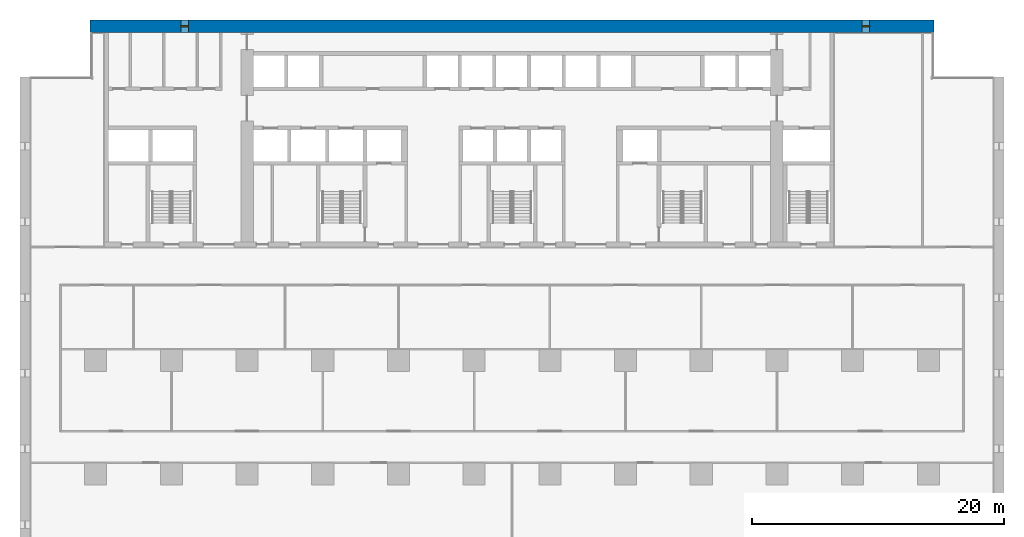
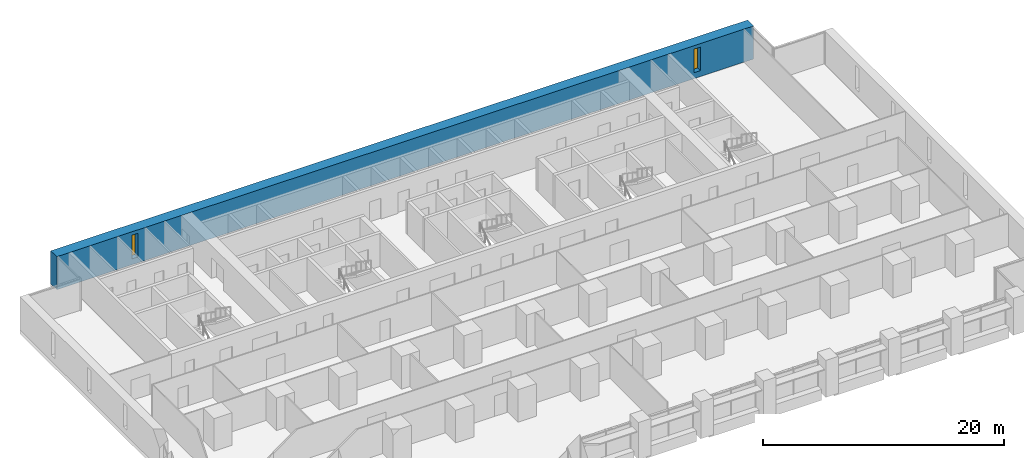
# One storey, part 12 of 18: 2 windows, 1 wall, 2 openings.
"""IFC4 building model written with IfcOpenShell, lengths in metres."""

from ifc_helpers import new_model, si_unit, direction, frame, frame_2d, origin, place, context, subcontext, project, spatial, rectangle, extrude, material, layer, layer_set, type_object, element, fill, save


model = new_model("IFC4")

# Units and contexts
model_context = context("Model", 3, precision=1e-05, world=origin(), true_north=direction((0.0, 1.0)))
body_context = subcontext(model_context, "Body", "Model", "MODEL_VIEW")
ifc_project = project(units=[si_unit("LENGTHUNIT", "METRE"), si_unit("AREAUNIT", "SQUARE_METRE"), si_unit("VOLUMEUNIT", "CUBIC_METRE"), si_unit("PLANEANGLEUNIT", "RADIAN"), si_unit("MASSUNIT", "GRAM", prefix="KILO")], contexts=[model_context])

# Site, building, storey
site_placement = place(None, origin())
site = spatial("IfcSite", under=ifc_project, at=site_placement, CompositionType="ELEMENT")
building_placement = place(site_placement, origin())
building = spatial("IfcBuilding", under=site, at=building_placement, Name="Calvaro Tower", CompositionType="ELEMENT")
storey_placement = place(building_placement, frame((0.0, 0.0, 37.5)))
storey = spatial("IfcBuildingStorey", under=building, at=storey_placement, Name="L08", CompositionType="ELEMENT", Elevation=37.5)

# Wall, openings, windows
ifc_material_1 = material(Name="Concrete C80/95", Category="concrete")
ifc_layer = layer(ifc_material_1, 1.0)
ifc_layer_set = layer_set([ifc_layer], Name="Concrete C80/95")
wall_type = type_object("IfcWallType", Name="Rear core wall 1000 C80/95", PredefinedType="SHEAR", material=ifc_layer_set)
wall_placement = place(storey_placement, frame((5.550048828125, 45.5, 0.0), z_axis=(0.0, 0.0, 1.0), x_axis=(1.0, 0.0, 0.0)))
wall = element("IfcWall", 1, at=wall_placement, inside=storey, type_object=wall_type, Name="North core wall", PredefinedType="SHEAR", context=body_context, shape_type="SweptSolid", body=[
    extrude(rectangle(XDim=66.89990234375, YDim=1.0, at=frame_2d((33.449951171875, 0.0))), origin(), (0.0, 0.0, 1.0), 3.35009765625),
])
opening_1_placement = place(wall_placement, frame((7.199951171875, 0.0, 0.60009765625)))
opening_1 = element("IfcOpeningElement", 2, at=opening_1_placement, cuts=wall, Name="Opening WN02", PredefinedType="OPENING", context=body_context, shape_type="SweptSolid", body=[
    extrude(rectangle(XDim=0.60009765625, YDim=2.39990234375, at=frame_2d((0.300048828125, 1.199951171875))), frame((0.0, 0.510009765625, 0.0), z_axis=(0.0, -1.0, 0.0), x_axis=(1.0, 0.0, 0.0)), (0.0, 0.0, 1.0), 1.02001953125),
])
opening_2_placement = place(wall_placement, frame((61.199951171875, 0.0, 0.60009765625)))
opening_2 = element("IfcOpeningElement", 3, at=opening_2_placement, cuts=wall, Name="Opening WN11", PredefinedType="OPENING", context=body_context, shape_type="SweptSolid", body=[
    extrude(rectangle(XDim=0.60009765625, YDim=2.39990234375, at=frame_2d((0.300048828125, 1.199951171875))), frame((0.0, 0.510009765625, 0.0), z_axis=(0.0, -1.0, 0.0), x_axis=(1.0, 0.0, 0.0)), (0.0, 0.0, 1.0), 1.02001953125),
])
ifc_material_2 = material(Name="Glass", Category="glass")
window_type = type_object("IfcWindowType", Name="Slit window 600 x 2400", PartitioningType="SINGLE_PANEL", PredefinedType="WINDOW", material=ifc_material_2)
window_1_placement = place(opening_1_placement, origin())
window_1 = element("IfcWindow", 4, at=window_1_placement, inside=storey, type_object=window_type, Name="Window WN02", OverallHeight=2.39990234375, OverallWidth=0.60009765625, PartitioningType="SINGLE_PANEL", PredefinedType="WINDOW", context=body_context, shape_type="SweptSolid", body=[
    extrude(rectangle(XDim=0.60009765625, YDim=2.39990234375, at=frame_2d((0.300048828125, 1.199951171875))), frame((0.0, 0.030029296875, 0.0), z_axis=(0.0, -1.0, 0.0), x_axis=(1.0, 0.0, 0.0)), (0.0, 0.0, 1.0), 0.06005859375),
])
fill(opening_1, window_1)
window_2_placement = place(opening_2_placement, origin())
window_2 = element("IfcWindow", 5, at=window_2_placement, inside=storey, type_object=window_type, Name="Window WN11", OverallHeight=2.39990234375, OverallWidth=0.60009765625, PartitioningType="SINGLE_PANEL", PredefinedType="WINDOW", context=body_context, shape_type="SweptSolid", body=[
    extrude(rectangle(XDim=0.60009765625, YDim=2.39990234375, at=frame_2d((0.300048828125, 1.199951171875))), frame((0.0, 0.030029296875, 0.0), z_axis=(0.0, -1.0, 0.0), x_axis=(1.0, 0.0, 0.0)), (0.0, 0.0, 1.0), 0.06005859375),
])
fill(opening_2, window_2)

save(model, "model.ifc")
